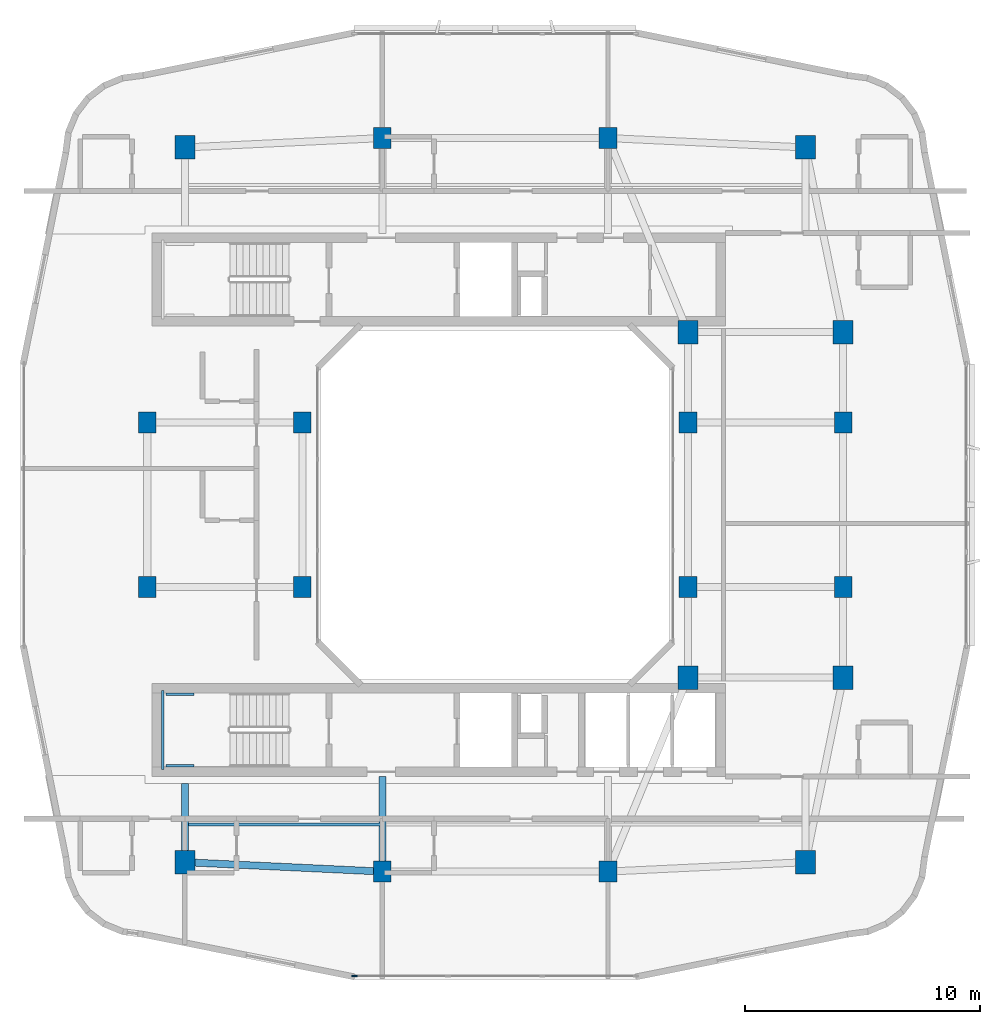
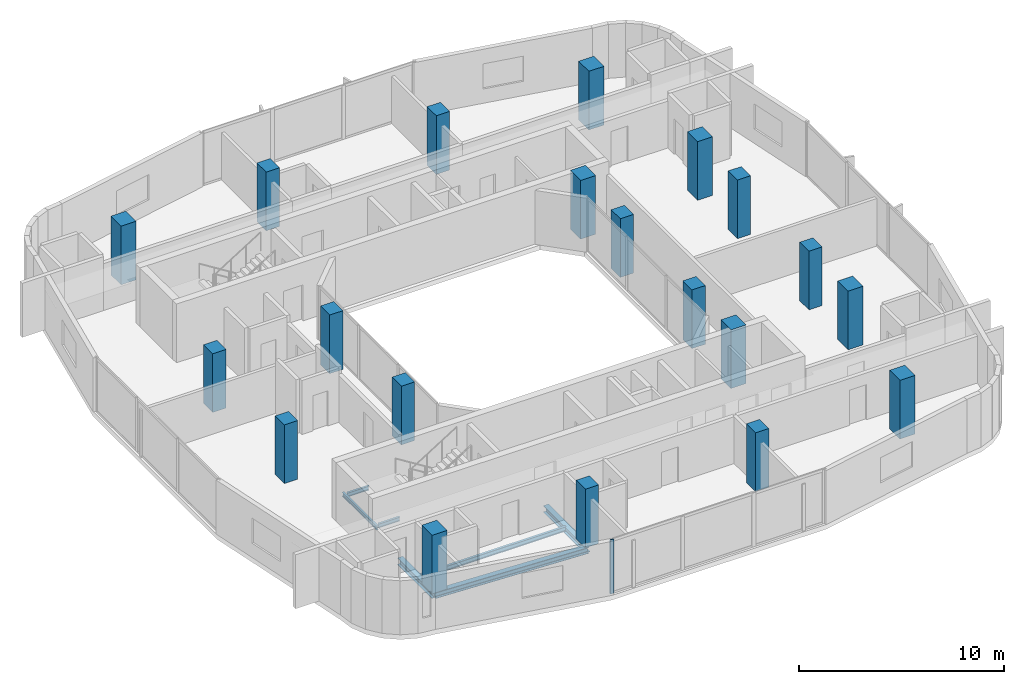
# One storey, part 1 of 14: 20 columns, 7 beams, 1 member, 1 element without a shape of its own.
"""IFC4 building model written with IfcOpenShell, lengths in metres."""

from ifc_helpers import new_model, si_unit, derived_unit, direction, frame, origin, origin_2d, place, context, subcontext, project, spatial, rectangle, i_section, extrude, material, layer, layer_set, material_profile, profile_set, type_object, element, aggregate, save


model = new_model("IFC4")

# Units and contexts
model_context = context("Model", 3, precision=1e-05, world=origin(), true_north=direction((0.0, 1.0)))
body_context = subcontext(model_context, "Body", "Model", "MODEL_VIEW")
ifc_project = project(units=[si_unit("LENGTHUNIT", "METRE"), si_unit("AREAUNIT", "SQUARE_METRE"), si_unit("VOLUMEUNIT", "CUBIC_METRE"), si_unit("PLANEANGLEUNIT", "RADIAN"), si_unit("MASSUNIT", "GRAM", prefix="KILO"), derived_unit("THERMALTRANSMITTANCEUNIT", [(si_unit("POWERUNIT", "WATT"), 1), (si_unit("LENGTHUNIT", "METRE"), -2), (si_unit("THERMODYNAMICTEMPERATUREUNIT", "KELVIN"), -1)])], contexts=[model_context])

# Site, building, storey
site_placement = place(None, origin())
site = spatial("IfcSite", under=ifc_project, at=site_placement, CompositionType="ELEMENT")
building_placement = place(site_placement, origin())
building = spatial("IfcBuilding", under=site, at=building_placement, Name="Kivonza Crest Hotel", CompositionType="ELEMENT")
storey_placement = place(building_placement, frame((0.0, 0.0, 148.5)))
storey = spatial("IfcBuildingStorey", under=building, at=storey_placement, Name="L40", CompositionType="ELEMENT", Elevation=148.5)

# Columns
ifc_material_1 = material(Name="Concrete C50/60", Category="concrete")
ifc_material_profile_1 = material_profile(ifc_material_1, rectangle(XDim=0.85009765625, YDim=1.0, at=origin_2d()), Name="RC 1000x850")
ifc_profile_set_1 = profile_set([ifc_material_profile_1], Name="Concrete C50/60")
column_type_1 = type_object("IfcColumnType", Name="CL-RC-1000x850", PredefinedType="COLUMN", material=ifc_profile_set_1)
for number, where, z_axis, x_axis, name in (
    (1, (7.800048828125, 9.800048828125, 0.0), (0.0, 0.0, 1.0), (1.0, 0.0, 0.0), "Tower T1 L40 column SW"),
    (2, (34.199951171875, 9.800048828125, 0.0), (0.0, 0.0, 1.0), (1.0, 0.0, 0.0), "Tower T1 L40 column SE"),
    (3, (34.199951171875, 40.199951171875, 0.0), (0.0, 0.0, 1.0), (1.0, 0.0, 0.0), "Tower T1 L40 column NE"),
    (4, (7.800048828125, 40.199951171875, 0.0), (0.0, 0.0, 1.0), (1.0, 0.0, 0.0), "Tower T1 L40 column NW"),
    (5, (35.800048828125, 17.64990234375, 0.0), (0.0, 0.0, 1.0), (1.0, 0.0, 0.0), "Tower T1 L40 column PSE"),
    (6, (35.800048828125, 32.35009765625, 0.0), (0.0, 0.0, 1.0), (1.0, 0.0, 0.0), "Tower T1 L40 column PNE"),
    (7, (29.199951171875, 17.64990234375, 0.0), (0.0, 0.0, 1.0), (1.0, 0.0, 0.0), "Tower T1 L40 column TSE"),
    (8, (29.199951171875, 32.35009765625, 0.0), (0.0, 0.0, 1.0), (1.0, 0.0, 0.0), "Tower T1 L40 column TNE"),
):
    element("IfcColumn", number, at=place(storey_placement, frame(where, z_axis=z_axis, x_axis=x_axis)), inside=storey, type_object=column_type_1, Name=name, PredefinedType="COLUMN", context=body_context, shape_type="SweptSolid", body=[
        extrude(rectangle(XDim=0.85009765625, YDim=1.0, at=origin_2d()), origin(), (0.0, 0.0, 1.0), 3.5),
    ])
ifc_material_profile_2 = material_profile(ifc_material_1, rectangle(XDim=0.75, YDim=0.89990234375, at=origin_2d()), Name="RC 900x750")
ifc_profile_set_2 = profile_set([ifc_material_profile_2], Name="Concrete C50/60")
column_type_2 = type_object("IfcColumnType", Name="CL-RC-900x750", PredefinedType="COLUMN", material=ifc_profile_set_2)
for number, where, z_axis, x_axis, name in (
    (9, (16.199951171875, 9.39990234375, 0.0), (0.0, 0.0, 1.0), (1.0, 0.0, 0.0), "Tower T1 L40 column S1"),
    (10, (25.800048828125, 9.39990234375, 0.0), (0.0, 0.0, 1.0), (1.0, 0.0, 0.0), "Tower T1 L40 column S2"),
    (11, (16.199951171875, 40.60009765625, 0.0), (0.0, 0.0, 1.0), (1.0, 0.0, 0.0), "Tower T1 L40 column N1"),
    (12, (25.800048828125, 40.60009765625, 0.0), (0.0, 0.0, 1.0), (1.0, 0.0, 0.0), "Tower T1 L40 column N2"),
    (13, (6.199951171875, 21.5, 0.0), (0.0, 0.0, 1.0), (1.0, 0.0, 0.0), "Tower T1 L40 column W1"),
    (14, (6.199951171875, 28.5, 0.0), (0.0, 0.0, 1.0), (1.0, 0.0, 0.0), "Tower T1 L40 column W2"),
    (15, (35.800048828125, 21.5, 0.0), (0.0, 0.0, 1.0), (1.0, 0.0, 0.0), "Tower T1 L40 column E1"),
    (16, (35.800048828125, 28.5, 0.0), (0.0, 0.0, 1.0), (1.0, 0.0, 0.0), "Tower T1 L40 column E2"),
    (17, (12.800048828125, 21.5, 0.0), (0.0, 0.0, 1.0), (1.0, 0.0, 0.0), "Tower T1 L40 column WL1"),
    (18, (12.800048828125, 28.5, 0.0), (0.0, 0.0, 1.0), (1.0, 0.0, 0.0), "Tower T1 L40 column WL2"),
    (19, (29.199951171875, 21.5, 0.0), (0.0, 0.0, 1.0), (1.0, 0.0, 0.0), "Tower T1 L40 column WR1"),
    (20, (29.199951171875, 28.5, 0.0), (0.0, 0.0, 1.0), (1.0, 0.0, 0.0), "Tower T1 L40 column WR2"),
):
    element("IfcColumn", number, at=place(storey_placement, frame(where, z_axis=z_axis, x_axis=x_axis)), inside=storey, type_object=column_type_2, Name=name, PredefinedType="COLUMN", context=body_context, shape_type="SweptSolid", body=[
        extrude(rectangle(XDim=0.75, YDim=0.89990234375, at=origin_2d()), origin(), (0.0, 0.0, 1.0), 3.5),
    ])

# Beams
ifc_material_2 = material(Name="Steel S355", Category="steel")
ifc_material_profile_3 = material_profile(ifc_material_2, i_section(OverallWidth=0.300048828125, OverallDepth=0.360107421875, WebThickness=0.012451171875, FlangeThickness=0.0224609375, FilletRadius=0.027099609375, at=origin_2d()), Name="HEB 360")
ifc_profile_set_3 = profile_set([ifc_material_profile_3], Name="Steel S355")
beam_type_1 = type_object("IfcBeamType", Name="BM-HEB360", PredefinedType="SPANDREL", material=ifc_profile_set_3)
beam_1_placement = place(storey_placement, frame((7.800048828125, 9.800048828125, -0.4599609375), z_axis=(0.998867283688, -0.047583080799, 0.0), x_axis=(0.047583080799, 0.998867283688, 0.0)))
element("IfcBeam", 21, at=beam_1_placement, inside=storey, type_object=beam_type_1, Name="Tower T1 L40 perimeter spandrel SW-S1", PredefinedType="SPANDREL", context=body_context, shape_type="SweptSolid", body=[
    extrude(i_section(OverallWidth=0.300048828125, OverallDepth=0.360107421875, WebThickness=0.012451171875, FlangeThickness=0.0224609375, FilletRadius=0.027099609375, at=origin_2d()), origin(), (0.0, 0.0, 1.0), 8.409423828125),
])
ifc_material_profile_4 = material_profile(ifc_material_2, i_section(OverallWidth=0.300048828125, OverallDepth=0.39990234375, WebThickness=0.013427734375, FlangeThickness=0.02392578125, FilletRadius=0.027099609375, at=origin_2d()), Name="HEB 400")
ifc_profile_set_4 = profile_set([ifc_material_profile_4], Name="Steel S355")
beam_type_2 = type_object("IfcBeamType", Name="BM-HEB400", PredefinedType="BEAM", material=ifc_profile_set_4)
beam_2_placement = place(storey_placement, frame((7.800048828125, 9.800048828125, -0.47998046875), z_axis=(0.0, 1.0, 0.0), x_axis=(-1.0, 0.0, 0.0)))
element("IfcBeam", 22, at=beam_2_placement, inside=storey, type_object=beam_type_2, Name="Tower T1 L40 radial core girder RSW", PredefinedType="BEAM", context=body_context, shape_type="SweptSolid", body=[
    extrude(i_section(OverallWidth=0.300048828125, OverallDepth=0.39990234375, WebThickness=0.013427734375, FlangeThickness=0.02392578125, FilletRadius=0.027099609375, at=origin_2d()), origin(), (0.0, 0.0, 1.0), 3.349853515625),
])
beam_3_placement = place(storey_placement, frame((16.199951171875, 9.39990234375, -0.47998046875), z_axis=(0.0, 1.0, 0.0), x_axis=(-1.0, 0.0, 0.0)))
element("IfcBeam", 23, at=beam_3_placement, inside=storey, type_object=beam_type_2, Name="Tower T1 L40 radial core girder RS1", PredefinedType="BEAM", context=body_context, shape_type="SweptSolid", body=[
    extrude(i_section(OverallWidth=0.300048828125, OverallDepth=0.39990234375, WebThickness=0.013427734375, FlangeThickness=0.02392578125, FilletRadius=0.027099609375, at=origin_2d()), origin(), (0.0, 0.0, 1.0), 4.050048828125),
])
ifc_material_profile_5 = material_profile(ifc_material_2, i_section(OverallWidth=0.135009765625, OverallDepth=0.27001953125, WebThickness=0.006591796875, FlangeThickness=0.01025390625, FilletRadius=0.014892578125, at=origin_2d()), Name="IPE 270")
ifc_profile_set_5 = profile_set([ifc_material_profile_5], Name="Steel S355")
beam_type_3 = type_object("IfcBeamType", Name="BM-IPE270", PredefinedType="JOIST", material=ifc_profile_set_5)
beam_4_placement = place(storey_placement, frame((7.8798828125, 11.39990234375, -0.4150390625), z_axis=(1.0, 0.0, 0.0), x_axis=(0.0, 1.0, 0.0)))
element("IfcBeam", 24, at=beam_4_placement, inside=storey, type_object=beam_type_3, Name="Tower T1 L40 South-West floor joist", PredefinedType="JOIST", context=body_context, shape_type="SweptSolid", body=[
    extrude(i_section(OverallWidth=0.135009765625, OverallDepth=0.27001953125, WebThickness=0.006591796875, FlangeThickness=0.01025390625, FilletRadius=0.014892578125, at=origin_2d()), origin(), (0.0, 0.0, 1.0), 8.240234375),
])
ifc_material_profile_6 = material_profile(ifc_material_2, i_section(OverallWidth=0.1201171875, OverallDepth=0.239990234375, WebThickness=0.006103515625, FlangeThickness=0.009765625, FilletRadius=0.014892578125, at=origin_2d()), Name="IPE 240")
ifc_profile_set_6 = profile_set([ifc_material_profile_6], Name="Steel S355")
beam_type_4 = type_object("IfcBeamType", Name="BM-LLDG-240", PredefinedType="BEAM", material=ifc_profile_set_6)
beam_5_placement = place(storey_placement, frame((6.860107421875, 13.739990234375, 1.429931640625), z_axis=(0.0, 1.0, 0.0), x_axis=(-1.0, 0.0, 0.0)))
element("IfcBeam", 25, at=beam_5_placement, inside=storey, type_object=beam_type_4, Name="Stair ST-T1-S L40 West landing corbel", PredefinedType="BEAM", context=body_context, shape_type="SweptSolid", body=[
    extrude(i_section(OverallWidth=0.1201171875, OverallDepth=0.239990234375, WebThickness=0.006103515625, FlangeThickness=0.009765625, FilletRadius=0.014892578125, at=origin_2d()), origin(), (0.0, 0.0, 1.0), 3.360107421875),
])
for number, where, z_axis, x_axis, name in (
    (26, (6.989990234375, 13.89990234375, 1.429931640625), (1.0, 0.0, 0.0), (0.0, 1.0, 0.0), "Stair ST-T1-S L40 South landing corbel"),
    (27, (6.989990234375, 16.93994140625, 1.429931640625), (1.0, 0.0, 0.0), (0.0, 1.0, 0.0), "Stair ST-T1-S L40 North landing corbel"),
):
    element("IfcBeam", number, at=place(storey_placement, frame(where, z_axis=z_axis, x_axis=x_axis)), inside=storey, type_object=beam_type_4, Name=name, PredefinedType="BEAM", context=body_context, shape_type="SweptSolid", body=[
        extrude(i_section(OverallWidth=0.1201171875, OverallDepth=0.239990234375, WebThickness=0.006103515625, FlangeThickness=0.009765625, FilletRadius=0.014892578125, at=origin_2d()), origin(), (0.0, 0.0, 1.0), 1.2099609375),
    ])

# Curtain wall, member
ifc_material_3 = material(Name="Anodised bronze aluminium and low-E double glazing", Category="aluminium")
ifc_layer = layer(ifc_material_3, 0.179931640625)
ifc_layer_set = layer_set([ifc_layer], Name="Anodised bronze aluminium and low-E double glazing")
curtain_wall_type = type_object("IfcCurtainWallType", Name="CW-SYS-3", PredefinedType="NOTDEFINED", material=ifc_layer_set)
curtain_wall_placement = place(storey_placement, origin())
curtain_wall = element("IfcCurtainWall", 28, at=curtain_wall_placement, inside=storey, type_object=curtain_wall_type, Name="L40 unitised curtain wall CW-T1-L40-08", PredefinedType="NOTDEFINED")
ifc_material_4 = material(Name="Anodised bronze aluminium", Category="aluminium")
ifc_material_profile_7 = material_profile(ifc_material_4, rectangle(XDim=0.074951171875, YDim=0.219970703125, at=origin_2d()), Name="CW-M 75x220")
ifc_profile_set_7 = profile_set([ifc_material_profile_7], Name="Anodised bronze aluminium")
member_type = type_object("IfcMemberType", Name="CW-MUL-75x220", PredefinedType="MULLION", material=ifc_profile_set_7)
member_placement = place(storey_placement, frame((15.017578125, 4.9599609375, 0.0), z_axis=(0.0, 0.0, 1.0), x_axis=(0.0, 1.0, 0.0)))
member = element("IfcMember", 29, at=member_placement, type_object=member_type, Name="CW-3 mullion 1", PredefinedType="MULLION", context=body_context, shape_type="SweptSolid", body=[
    extrude(rectangle(XDim=0.074951171875, YDim=0.219970703125, at=origin_2d()), origin(), (0.0, 0.0, 1.0), 3.219970703125),
])
aggregate(curtain_wall, [member])

save(model, "model.ifc")
